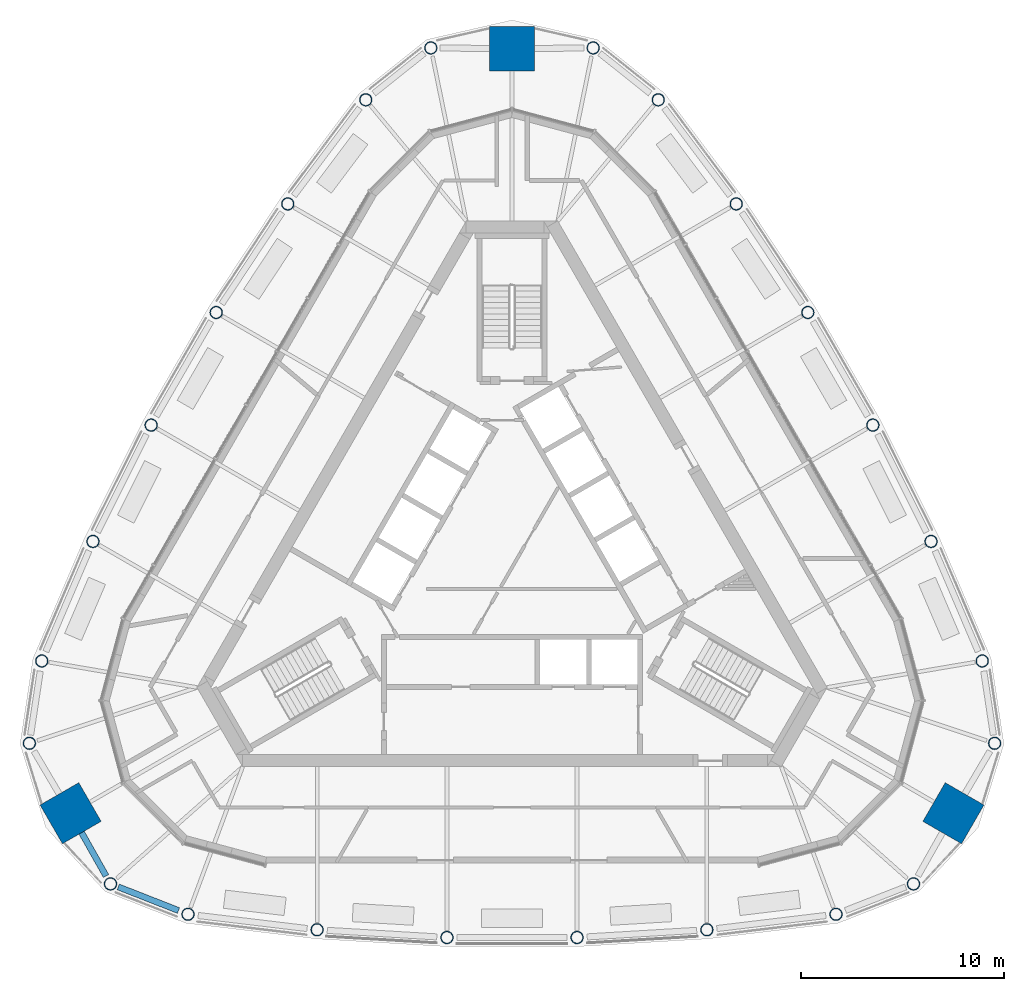
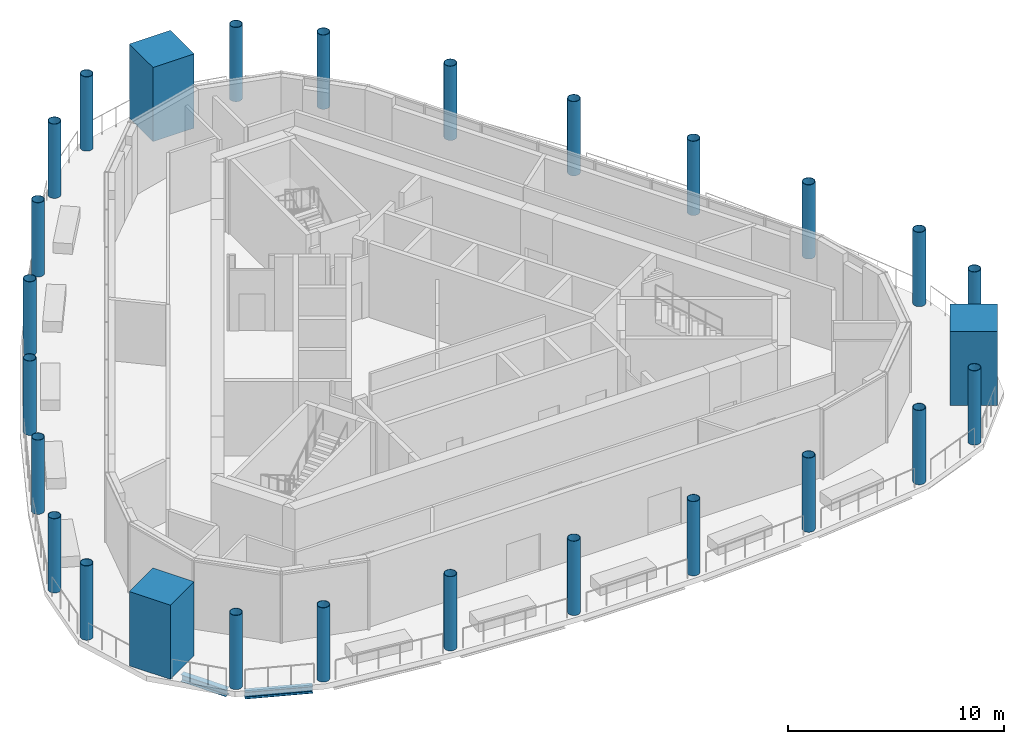
# One storey, part 1 of 15: 27 columns, 2 beams.
"""IFC4 building model written with IfcOpenShell, lengths in metres."""

from ifc_helpers import new_model, si_unit, direction, frame, origin, origin_2d, place, context, subcontext, project, spatial, rectangle, hollow_circle, i_section, extrude, material, material_profile, profile_set, type_object, element, save


model = new_model("IFC4")

# Units and contexts
model_context = context("Model", 3, precision=1e-05, world=origin(), true_north=direction((0.0, 1.0)))
body_context = subcontext(model_context, "Body", "Model", "MODEL_VIEW")
ifc_project = project(units=[si_unit("LENGTHUNIT", "METRE"), si_unit("AREAUNIT", "SQUARE_METRE"), si_unit("VOLUMEUNIT", "CUBIC_METRE"), si_unit("PLANEANGLEUNIT", "RADIAN"), si_unit("MASSUNIT", "GRAM", prefix="KILO")], contexts=[model_context])

# Site, building, storey
site_placement = place(None, origin())
site = spatial("IfcSite", under=ifc_project, at=site_placement, CompositionType="ELEMENT")
building_placement = place(site_placement, origin())
building = spatial("IfcBuilding", under=site, at=building_placement, Name="Mestral Congress Tower", CompositionType="ELEMENT")
storey_placement = place(building_placement, frame((0.0, 0.0, 327.60009765625)))
storey = spatial("IfcBuildingStorey", under=building, at=storey_placement, Name="L76", CompositionType="ELEMENT", Elevation=327.60009765625)

# Columns
ifc_material_1 = material(Name="Steel S355", Category="steel")
ifc_material_profile_1 = material_profile(ifc_material_1, hollow_circle(Radius=0.304931640625, WallThickness=0.02490234375, at=origin_2d()), Name="CHS 610x25")
ifc_profile_set_1 = profile_set([ifc_material_profile_1], Name="Steel S355")
column_type_1 = type_object("IfcColumnType", Name="Colonnade column CHS 610x25 S355", PredefinedType="COLUMN", material=ifc_profile_set_1)
for number, where, z_axis, x_axis, name in (
    (1, (-15.940673828125, -17.511962890625, 0.0), (0.0, 0.0, 1.0), (1.0, 0.0, 0.0), "COL-L76-K-C5-S00"),
    (2, (-9.587158203125, -18.273681640625, 0.0), (0.0, 0.0, 1.0), (1.0, 0.0, 0.0), "COL-L76-K-C5-S01"),
    (3, (-3.199462890625, -18.6552734375, 0.0), (0.0, 0.0, 1.0), (1.0, 0.0, 0.0), "COL-L76-K-C5-S02"),
    (4, (3.199462890625, -18.6552734375, 0.0), (0.0, 0.0, 1.0), (1.0, 0.0, 0.0), "COL-L76-K-C5-S03"),
    (5, (9.587158203125, -18.273681640625, 0.0), (0.0, 0.0, 1.0), (1.0, 0.0, 0.0), "COL-L76-K-C5-S04"),
    (6, (15.940673828125, -17.511962890625, 0.0), (0.0, 0.0, 1.0), (1.0, 0.0, 0.0), "COL-L76-K-C5-S05"),
    (7, (19.75439453125, -16.0166015625, 0.0), (0.0, 0.0, 1.0), (1.0, 0.0, 0.0), "COL-L76-K-C5-SE1"),
    (8, (23.748046875, -9.099609375, 0.0), (0.0, 0.0, 1.0), (1.0, 0.0, 0.0), "COL-L76-K-C5-SE3"),
    (9, (23.135986328125, -5.049072265625, 0.0), (0.0, 0.0, 1.0), (1.0, 0.0, 0.0), "COL-L76-K-C5-E00"),
    (10, (20.618896484375, 0.833984375, 0.0), (0.0, 0.0, 1.0), (1.0, 0.0, 0.0), "COL-L76-K-C5-E01"),
    (11, (17.755615234375, 6.556640625, 0.0), (0.0, 0.0, 1.0), (1.0, 0.0, 0.0), "COL-L76-K-C5-E02"),
    (12, (14.55615234375, 12.098388671875, 0.0), (0.0, 0.0, 1.0), (1.0, 0.0, 0.0), "COL-L76-K-C5-E03"),
    (13, (11.031982421875, 17.439697265625, 0.0), (0.0, 0.0, 1.0), (1.0, 0.0, 0.0), "COL-L76-K-C5-E04"),
    (14, (7.1953125, 22.56103515625, 0.0), (0.0, 0.0, 1.0), (1.0, 0.0, 0.0), "COL-L76-K-C5-E05"),
    (15, (3.993408203125, 25.1162109375, 0.0), (0.0, 0.0, 1.0), (1.0, 0.0, 0.0), "COL-L76-K-C5-N1"),
    (16, (-3.993408203125, 25.1162109375, 0.0), (0.0, 0.0, 1.0), (1.0, 0.0, 0.0), "COL-L76-K-C5-N3"),
    (17, (-7.1953125, 22.56103515625, 0.0), (0.0, 0.0, 1.0), (1.0, 0.0, 0.0), "COL-L76-K-C5-W00"),
    (18, (-11.031982421875, 17.439697265625, 0.0), (0.0, 0.0, 1.0), (1.0, 0.0, 0.0), "COL-L76-K-C5-W01"),
    (19, (-14.55615234375, 12.098388671875, 0.0), (0.0, 0.0, 1.0), (1.0, 0.0, 0.0), "COL-L76-K-C5-W02"),
    (20, (-17.755615234375, 6.556640625, 0.0), (0.0, 0.0, 1.0), (1.0, 0.0, 0.0), "COL-L76-K-C5-W03"),
    (21, (-20.618896484375, 0.833984375, 0.0), (0.0, 0.0, 1.0), (1.0, 0.0, 0.0), "COL-L76-K-C5-W04"),
    (22, (-23.135986328125, -5.049072265625, 0.0), (0.0, 0.0, 1.0), (1.0, 0.0, 0.0), "COL-L76-K-C5-W05"),
    (23, (-23.748046875, -9.099609375, 0.0), (0.0, 0.0, 1.0), (1.0, 0.0, 0.0), "COL-L76-K-C5-SW1"),
    (24, (-19.75439453125, -16.0166015625, 0.0), (0.0, 0.0, 1.0), (1.0, 0.0, 0.0), "COL-L76-K-C5-SW3"),
):
    element("IfcColumn", number, at=place(storey_placement, frame(where, z_axis=z_axis, x_axis=x_axis)), inside=storey, type_object=column_type_1, Name=name, PredefinedType="COLUMN", context=body_context, shape_type="SweptSolid", body=[
        extrude(hollow_circle(Radius=0.304931640625, WallThickness=0.02490234375, at=origin_2d()), origin(), (0.0, 0.0, 1.0), 4.199951171875),
    ])
ifc_material_2 = material(Name="Concrete C60/75", Category="concrete")
ifc_material_profile_2 = material_profile(ifc_material_2, rectangle(XDim=2.199951171875, YDim=2.199951171875, at=origin_2d()), Name="RC 2200x2200")
ifc_profile_set_2 = profile_set([ifc_material_profile_2], Name="Concrete C60/75")
column_type_2 = type_object("IfcColumnType", Name="Mega column RC 2200x2200 C60/75", PredefinedType="COLUMN", material=ifc_profile_set_2)
for number, where, z_axis, x_axis, name in (
    (25, (21.71826171875, -12.5390625, 0.0), (0.0, 0.0, 1.0), (0.866025403784, -0.5, 0.0), "COL-L76-PY5-SE"),
    (26, (0.0, 25.078125, 0.0), (0.0, 0.0, 1.0), (0.0, 1.0, 0.0), "COL-L76-PY5-N"),
    (27, (-21.71826171875, -12.5390625, 0.0), (0.0, 0.0, 1.0), (-0.866025403784, -0.5, 0.0), "COL-L76-PY5-SW"),
):
    element("IfcColumn", number, at=place(storey_placement, frame(where, z_axis=z_axis, x_axis=x_axis)), inside=storey, type_object=column_type_2, Name=name, PredefinedType="COLUMN", context=body_context, shape_type="SweptSolid", body=[
        extrude(rectangle(XDim=2.199951171875, YDim=2.199951171875, at=origin_2d()), origin(), (0.0, 0.0, 1.0), 4.199951171875),
    ])

# Beams
ifc_material_profile_3 = material_profile(ifc_material_1, i_section(OverallWidth=0.300048828125, OverallDepth=0.389892578125, WebThickness=0.010986328125, FlangeThickness=0.01904296875, FilletRadius=0.027099609375, at=origin_2d()), Name="HEA 400")
ifc_profile_set_3 = profile_set([ifc_material_profile_3], Name="Steel S355")
beam_type = type_object("IfcBeamType", Name="Spandrel beam HEA 400 S355", PredefinedType="BEAM", material=ifc_profile_set_3)
beam_1_placement = place(storey_placement, frame((-21.17724609375, -13.496826171875, -0.4951171875), z_axis=(0.491728558518, -0.870748542771, 0.0), x_axis=(0.870748542771, 0.491728558518, 0.0)))
element("IfcBeam", 28, at=beam_1_placement, inside=storey, type_object=beam_type, Name="SP-L76-SB5-SW", PredefinedType="BEAM", context=body_context, shape_type="SweptSolid", body=[
    extrude(i_section(OverallWidth=0.300048828125, OverallDepth=0.389892578125, WebThickness=0.010986328125, FlangeThickness=0.01904296875, FilletRadius=0.027099609375, at=origin_2d()), origin(), (0.0, 0.0, 1.0), 2.44775390625),
])
beam_2_placement = place(storey_placement, frame((-19.372314453125, -16.166259765625, -0.4951171875), z_axis=(0.930980873283, -0.365067957485, 0.0), x_axis=(0.365067957485, 0.930980873283, 0.0)))
element("IfcBeam", 29, at=beam_2_placement, inside=storey, type_object=beam_type, Name="SP-L76-SB5-SW3", PredefinedType="BEAM", context=body_context, shape_type="SweptSolid", body=[
    extrude(i_section(OverallWidth=0.300048828125, OverallDepth=0.389892578125, WebThickness=0.010986328125, FlangeThickness=0.01904296875, FilletRadius=0.027099609375, at=origin_2d()), origin(), (0.0, 0.0, 1.0), 3.179931640625),
])

save(model, "model.ifc")
